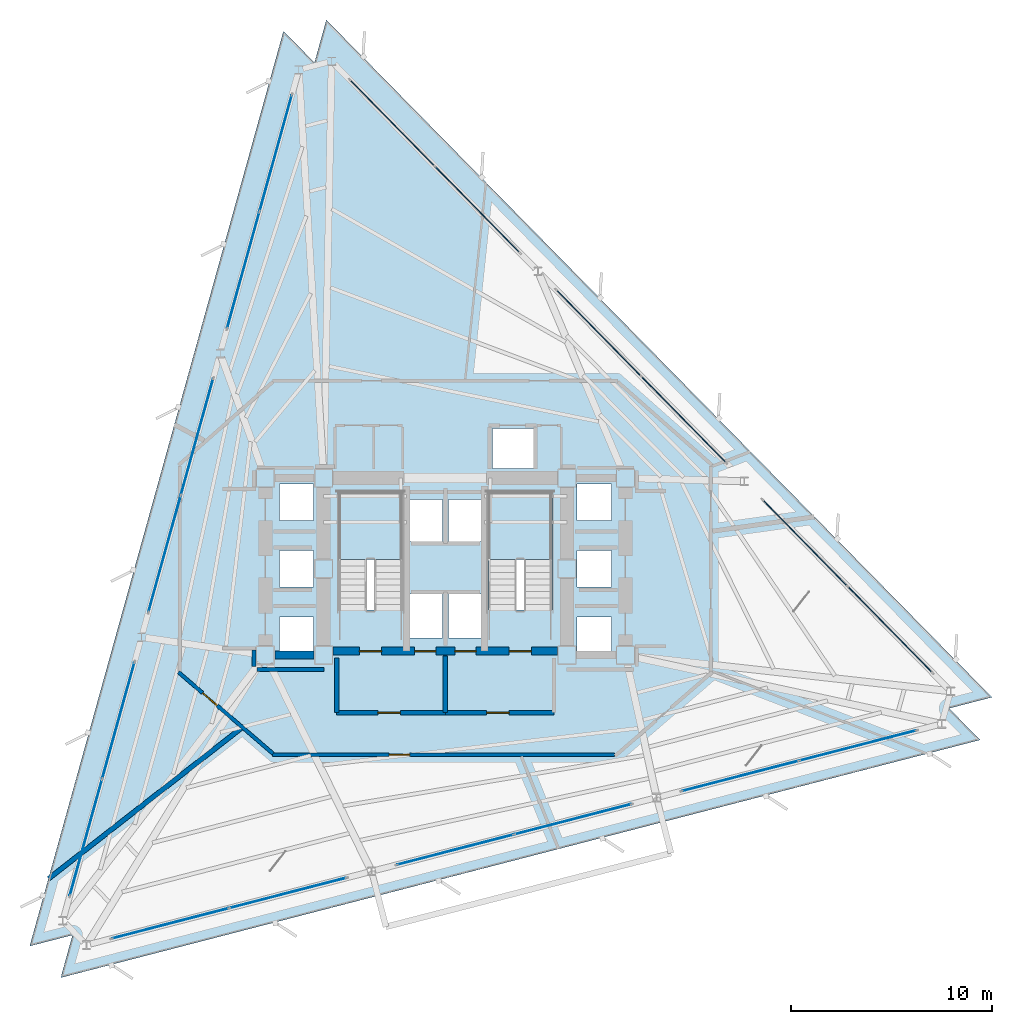
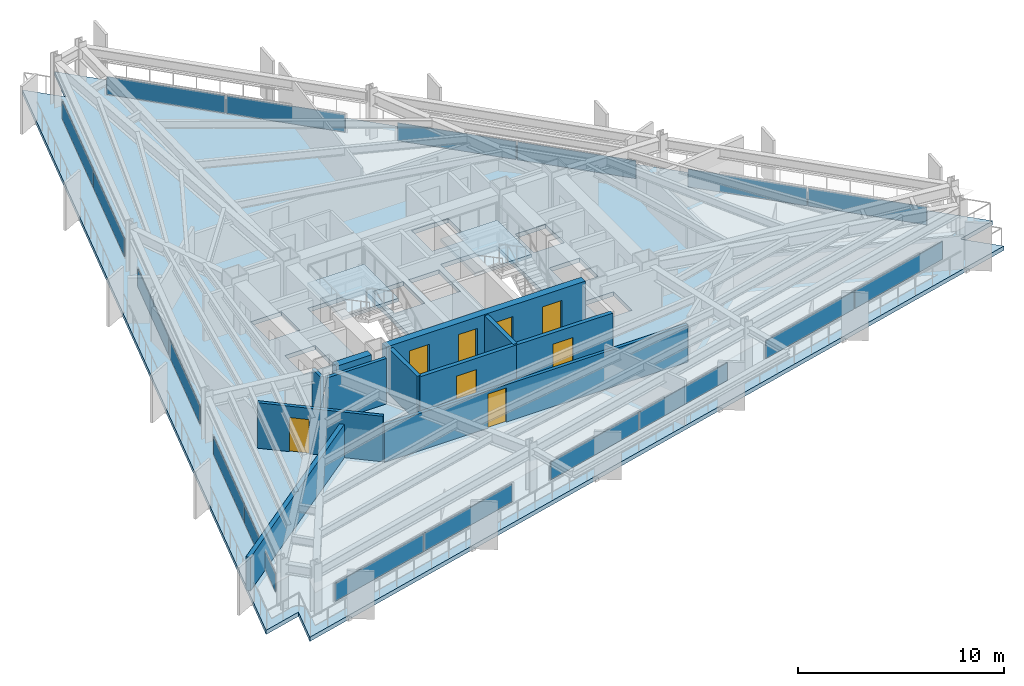
# One storey, part 6 of 11: 18 plates, 11 walls, 8 doors, 3 slabs, 8 openings, 11 elements without a shape of their own.
"""IFC4 building model written with IfcOpenShell, lengths in metres."""

from ifc_helpers import new_model, si_unit, direction, frame, frame_2d, origin, origin_2d, place, context, subcontext, project, spatial, polyline, rectangle, outline, extrude, material, layer, layer_set, type_object, element, fill, aggregate, save


model = new_model("IFC4")

# Units and contexts
model_context = context("Model", 3, precision=1e-05, world=origin(), true_north=direction((0.0, 1.0)))
body_context = subcontext(model_context, "Body", "Model", "MODEL_VIEW")
ifc_project = project(units=[si_unit("LENGTHUNIT", "METRE"), si_unit("AREAUNIT", "SQUARE_METRE"), si_unit("VOLUMEUNIT", "CUBIC_METRE"), si_unit("PLANEANGLEUNIT", "RADIAN"), si_unit("MASSUNIT", "GRAM", prefix="KILO")], contexts=[model_context])

# Site, building, storey
site_placement = place(None, origin())
site = spatial("IfcSite", under=ifc_project, at=site_placement, CompositionType="ELEMENT")
building_placement = place(site_placement, origin())
building = spatial("IfcBuilding", under=site, at=building_placement, Name="Rocaltana Carrier Exchange", CompositionType="ELEMENT")
storey_placement = place(building_placement, frame((0.0, 0.0, 97.760009765625)))
storey = spatial("IfcBuildingStorey", under=building, at=storey_placement, Name="L30", CompositionType="ELEMENT", Elevation=97.760009765625)

# Curtain wall, plates
ifc_material_1 = material(Name="Aluminium 6063-T6", Category="aluminium")
ifc_layer_1 = layer(ifc_material_1, 0.1650390625)
ifc_layer_set_1 = layer_set([ifc_layer_1], Name="Aluminium 6063-T6")
curtain_wall_type = type_object("IfcCurtainWallType", Name="Lower-Mid Stepped Curtain Wall CW-02", PredefinedType="NOTDEFINED", material=ifc_layer_set_1)
curtain_wall_1_placement = place(storey_placement, origin())
curtain_wall_1 = element("IfcCurtainWall", 1, at=curtain_wall_1_placement, inside=storey, type_object=curtain_wall_type, Name="L30 CW-02 Run CW-L30-F1S1", PredefinedType="NOTDEFINED")
ifc_material_2 = material(Name="Tempered Laminated Glass", Category="glass")
ifc_layer_2 = layer(ifc_material_2, 0.0419921875)
ifc_layer_set_2 = layer_set([ifc_layer_2], Name="Tempered Laminated Glass")
plate_type = type_object("IfcPlateType", Name="CW-02 Stone-Insulated Vision Panel", PredefinedType="CURTAIN_PANEL", material=ifc_layer_set_2)
plate_1_placement = place(storey_placement, frame((22.10400390625, -3.02490234375, 0.06494140625), z_axis=(0.0, 0.0, 1.0), x_axis=(-0.700915045542, 0.713244767898, 0.0)))
plate_1 = element("IfcPlate", 2, at=plate_1_placement, type_object=plate_type, Name="CW-02 panel 1.1", PredefinedType="CURTAIN_PANEL", context=body_context, shape_type="SweptSolid", body=[
    extrude(rectangle(XDim=5.96923828125, YDim=0.0419921875, at=origin_2d()), origin(), (0.0, 0.0, 1.0), 1.048095703125),
])
plate_2_placement = place(storey_placement, frame((17.874755859375, 1.279052734375, 0.06494140625), z_axis=(0.0, 0.0, 1.0), x_axis=(-0.700915045542, 0.713244767898, 0.0)))
plate_2 = element("IfcPlate", 3, at=plate_2_placement, type_object=plate_type, Name="CW-02 panel 2.1", PredefinedType="CURTAIN_PANEL", context=body_context, shape_type="SweptSolid", body=[
    extrude(rectangle(XDim=5.96923828125, YDim=0.0419921875, at=origin_2d()), origin(), (0.0, 0.0, 1.0), 1.048095703125),
])
aggregate(curtain_wall_1, [plate_1, plate_2])

curtain_wall_2_placement = place(storey_placement, origin())
curtain_wall_2 = element("IfcCurtainWall", 4, at=curtain_wall_2_placement, inside=storey, type_object=curtain_wall_type, Name="L30 CW-02 Run CW-L30-F1S2", PredefinedType="NOTDEFINED")
plate_3_placement = place(storey_placement, frame((11.847412109375, 7.412353515625, 0.06494140625), z_axis=(0.0, 0.0, 1.0), x_axis=(-0.700915118017, 0.713244696676, 0.0)))
plate_3 = element("IfcPlate", 5, at=plate_3_placement, type_object=plate_type, Name="CW-02 panel 1.1", PredefinedType="CURTAIN_PANEL", context=body_context, shape_type="SweptSolid", body=[
    extrude(rectangle(XDim=5.96923828125, YDim=0.0419921875, at=origin_2d()), origin(), (0.0, 0.0, 1.0), 1.048095703125),
])
plate_4_placement = place(storey_placement, frame((7.617919921875, 11.71630859375, 0.06494140625), z_axis=(0.0, 0.0, 1.0), x_axis=(-0.700915118017, 0.713244696676, 0.0)))
plate_4 = element("IfcPlate", 6, at=plate_4_placement, type_object=plate_type, Name="CW-02 panel 2.1", PredefinedType="CURTAIN_PANEL", context=body_context, shape_type="SweptSolid", body=[
    extrude(rectangle(XDim=5.96923828125, YDim=0.0419921875, at=origin_2d()), origin(), (0.0, 0.0, 1.0), 1.048095703125),
])
aggregate(curtain_wall_2, [plate_3, plate_4])

curtain_wall_3_placement = place(storey_placement, origin())
curtain_wall_3 = element("IfcCurtainWall", 7, at=curtain_wall_3_placement, inside=storey, type_object=curtain_wall_type, Name="L30 CW-02 Run CW-L30-F1S3", PredefinedType="NOTDEFINED")
plate_5_placement = place(storey_placement, frame((1.5908203125, 17.849609375, 0.06494140625), z_axis=(0.0, 0.0, 1.0), x_axis=(-0.700915045542, 0.713244767898, 0.0)))
plate_5 = element("IfcPlate", 8, at=plate_5_placement, type_object=plate_type, Name="CW-02 panel 1.1", PredefinedType="CURTAIN_PANEL", context=body_context, shape_type="SweptSolid", body=[
    extrude(rectangle(XDim=5.96923828125, YDim=0.0419921875, at=origin_2d()), origin(), (0.0, 0.0, 1.0), 1.048095703125),
])
plate_6_placement = place(storey_placement, frame((-2.638671875, 22.153564453125, 0.06494140625), z_axis=(0.0, 0.0, 1.0), x_axis=(-0.700915045542, 0.713244767898, 0.0)))
plate_6 = element("IfcPlate", 9, at=plate_6_placement, type_object=plate_type, Name="CW-02 panel 2.1", PredefinedType="CURTAIN_PANEL", context=body_context, shape_type="SweptSolid", body=[
    extrude(rectangle(XDim=5.96923828125, YDim=0.0419921875, at=origin_2d()), origin(), (0.0, 0.0, 1.0), 1.048095703125),
])
aggregate(curtain_wall_3, [plate_5, plate_6])

curtain_wall_4_placement = place(storey_placement, origin())
curtain_wall_4 = element("IfcCurtainWall", 10, at=curtain_wall_4_placement, inside=storey, type_object=curtain_wall_type, Name="L30 CW-02 Run CW-L30-F2S1", PredefinedType="NOTDEFINED")
plate_7_placement = place(storey_placement, frame((-8.432373046875, 20.655029296875, 0.06494140625), z_axis=(0.0, 0.0, 1.0), x_axis=(-0.267245546918, -0.96362846453, 0.0)))
plate_7 = element("IfcPlate", 11, at=plate_7_placement, type_object=plate_type, Name="CW-02 panel 1.1", PredefinedType="CURTAIN_PANEL", context=body_context, shape_type="SweptSolid", body=[
    extrude(rectangle(XDim=5.96923828125, YDim=0.0419921875, at=origin_2d()), origin(), (0.0, 0.0, 1.0), 1.048095703125),
])
plate_8_placement = place(storey_placement, frame((-10.045166015625, 14.84033203125, 0.06494140625), z_axis=(0.0, 0.0, 1.0), x_axis=(-0.267245546918, -0.96362846453, 0.0)))
plate_8 = element("IfcPlate", 12, at=plate_8_placement, type_object=plate_type, Name="CW-02 panel 2.1", PredefinedType="CURTAIN_PANEL", context=body_context, shape_type="SweptSolid", body=[
    extrude(rectangle(XDim=5.96923828125, YDim=0.0419921875, at=origin_2d()), origin(), (0.0, 0.0, 1.0), 1.048095703125),
])
aggregate(curtain_wall_4, [plate_7, plate_8])

curtain_wall_5_placement = place(storey_placement, origin())
curtain_wall_5 = element("IfcCurtainWall", 13, at=curtain_wall_5_placement, inside=storey, type_object=curtain_wall_type, Name="L30 CW-02 Run CW-L30-F2S2", PredefinedType="NOTDEFINED")
plate_9_placement = place(storey_placement, frame((-12.343017578125, 6.553955078125, 0.06494140625), z_axis=(0.0, 0.0, 1.0), x_axis=(-0.267237893807, -0.963630586954, 0.0)))
plate_9 = element("IfcPlate", 14, at=plate_9_placement, type_object=plate_type, Name="CW-02 panel 1.1", PredefinedType="CURTAIN_PANEL", context=body_context, shape_type="SweptSolid", body=[
    extrude(rectangle(XDim=5.96923828125, YDim=0.0419921875, at=origin_2d()), origin(), (0.0, 0.0, 1.0), 1.048095703125),
])
plate_10_placement = place(storey_placement, frame((-13.95556640625, 0.7392578125, 0.06494140625), z_axis=(0.0, 0.0, 1.0), x_axis=(-0.267237893807, -0.963630586954, 0.0)))
plate_10 = element("IfcPlate", 15, at=plate_10_placement, type_object=plate_type, Name="CW-02 panel 2.1", PredefinedType="CURTAIN_PANEL", context=body_context, shape_type="SweptSolid", body=[
    extrude(rectangle(XDim=5.96923828125, YDim=0.0419921875, at=origin_2d()), origin(), (0.0, 0.0, 1.0), 1.048095703125),
])
aggregate(curtain_wall_5, [plate_9, plate_10])

curtain_wall_6_placement = place(storey_placement, origin())
curtain_wall_6 = element("IfcCurtainWall", 16, at=curtain_wall_6_placement, inside=storey, type_object=curtain_wall_type, Name="L30 CW-02 Run CW-L30-F2S3", PredefinedType="NOTDEFINED")
plate_11_placement = place(storey_placement, frame((-16.253662109375, -7.547119140625, 0.06494140625), z_axis=(0.0, 0.0, 1.0), x_axis=(-0.267243424491, -0.963629053146, 0.0)))
plate_11 = element("IfcPlate", 17, at=plate_11_placement, type_object=plate_type, Name="CW-02 panel 1.1", PredefinedType="CURTAIN_PANEL", context=body_context, shape_type="SweptSolid", body=[
    extrude(rectangle(XDim=5.96923828125, YDim=0.0419921875, at=origin_2d()), origin(), (0.0, 0.0, 1.0), 1.048095703125),
])
plate_12_placement = place(storey_placement, frame((-17.8662109375, -13.36181640625, 0.06494140625), z_axis=(0.0, 0.0, 1.0), x_axis=(-0.267243424491, -0.963629053146, 0.0)))
plate_12 = element("IfcPlate", 18, at=plate_12_placement, type_object=plate_type, Name="CW-02 panel 2.1", PredefinedType="CURTAIN_PANEL", context=body_context, shape_type="SweptSolid", body=[
    extrude(rectangle(XDim=5.96923828125, YDim=0.0419921875, at=origin_2d()), origin(), (0.0, 0.0, 1.0), 1.048095703125),
])
aggregate(curtain_wall_6, [plate_11, plate_12])

curtain_wall_7_placement = place(storey_placement, origin())
curtain_wall_7 = element("IfcCurtainWall", 19, at=curtain_wall_7_placement, inside=storey, type_object=curtain_wall_type, Name="L30 CW-02 Run CW-L30-F3S1", PredefinedType="NOTDEFINED")
plate_13_placement = place(storey_placement, frame((-13.671630859375, -17.63037109375, 0.06494140625), z_axis=(0.0, 0.0, 1.0), x_axis=(0.968148220548, 0.250377760692, 0.0)))
plate_13 = element("IfcPlate", 20, at=plate_13_placement, type_object=plate_type, Name="CW-02 panel 1.1", PredefinedType="CURTAIN_PANEL", context=body_context, shape_type="SweptSolid", body=[
    extrude(rectangle(XDim=5.96923828125, YDim=0.0419921875, at=origin_2d()), origin(), (0.0, 0.0, 1.0), 1.048095703125),
])
plate_14_placement = place(storey_placement, frame((-7.82958984375, -16.119384765625, 0.06494140625), z_axis=(0.0, 0.0, 1.0), x_axis=(0.968148220548, 0.250377760692, 0.0)))
plate_14 = element("IfcPlate", 21, at=plate_14_placement, type_object=plate_type, Name="CW-02 panel 2.1", PredefinedType="CURTAIN_PANEL", context=body_context, shape_type="SweptSolid", body=[
    extrude(rectangle(XDim=5.96923828125, YDim=0.0419921875, at=origin_2d()), origin(), (0.0, 0.0, 1.0), 1.048095703125),
])
aggregate(curtain_wall_7, [plate_13, plate_14])

curtain_wall_8_placement = place(storey_placement, origin())
curtain_wall_8 = element("IfcCurtainWall", 22, at=curtain_wall_8_placement, inside=storey, type_object=curtain_wall_type, Name="L30 CW-02 Run CW-L30-F3S2", PredefinedType="NOTDEFINED")
plate_15_placement = place(storey_placement, frame((0.49560546875, -13.96630859375, 0.06494140625), z_axis=(0.0, 0.0, 1.0), x_axis=(0.968148220548, 0.250377760692, 0.0)))
plate_15 = element("IfcPlate", 23, at=plate_15_placement, type_object=plate_type, Name="CW-02 panel 1.1", PredefinedType="CURTAIN_PANEL", context=body_context, shape_type="SweptSolid", body=[
    extrude(rectangle(XDim=5.96923828125, YDim=0.0419921875, at=origin_2d()), origin(), (0.0, 0.0, 1.0), 1.048095703125),
])
plate_16_placement = place(storey_placement, frame((6.337646484375, -12.45556640625, 0.06494140625), z_axis=(0.0, 0.0, 1.0), x_axis=(0.968148220548, 0.250377760692, 0.0)))
plate_16 = element("IfcPlate", 24, at=plate_16_placement, type_object=plate_type, Name="CW-02 panel 2.1", PredefinedType="CURTAIN_PANEL", context=body_context, shape_type="SweptSolid", body=[
    extrude(rectangle(XDim=5.96923828125, YDim=0.0419921875, at=origin_2d()), origin(), (0.0, 0.0, 1.0), 1.048095703125),
])
aggregate(curtain_wall_8, [plate_15, plate_16])

curtain_wall_9_placement = place(storey_placement, origin())
curtain_wall_9 = element("IfcCurtainWall", 25, at=curtain_wall_9_placement, inside=storey, type_object=curtain_wall_type, Name="L30 CW-02 Run CW-L30-F3S3", PredefinedType="NOTDEFINED")
plate_17_placement = place(storey_placement, frame((14.662841796875, -10.302490234375, 0.06494140625), z_axis=(0.0, 0.0, 1.0), x_axis=(0.96815021836, 0.250370035526, 0.0)))
plate_17 = element("IfcPlate", 26, at=plate_17_placement, type_object=plate_type, Name="CW-02 panel 1.1", PredefinedType="CURTAIN_PANEL", context=body_context, shape_type="SweptSolid", body=[
    extrude(rectangle(XDim=5.96923828125, YDim=0.0419921875, at=origin_2d()), origin(), (0.0, 0.0, 1.0), 1.048095703125),
])
plate_18_placement = place(storey_placement, frame((20.5048828125, -8.791748046875, 0.06494140625), z_axis=(0.0, 0.0, 1.0), x_axis=(0.96815021836, 0.250370035526, 0.0)))
plate_18 = element("IfcPlate", 27, at=plate_18_placement, type_object=plate_type, Name="CW-02 panel 2.1", PredefinedType="CURTAIN_PANEL", context=body_context, shape_type="SweptSolid", body=[
    extrude(rectangle(XDim=5.96923828125, YDim=0.0419921875, at=origin_2d()), origin(), (0.0, 0.0, 1.0), 1.048095703125),
])
aggregate(curtain_wall_9, [plate_17, plate_18])

# Slab
ifc_material_3 = material(Name="Concrete C50/60", Category="concrete")
ifc_layer_3 = layer(ifc_material_3, 0.25)
ifc_layer_set_3 = layer_set([ifc_layer_3], Name="Concrete C50/60")
slab_type_1 = type_object("IfcSlabType", Name="Mid-Zone Tower Slab 250", PredefinedType="FLOOR", material=ifc_layer_set_3)
slab_1_placement = place(storey_placement, frame((0.0, 0.0, -0.25)))
element("IfcSlab", 28, at=slab_1_placement, inside=storey, type_object=slab_type_1, Name="L30 Structural Floor Slab", PredefinedType="FLOOR", context=body_context, shape_type="SweptSolid", body=[
    extrude(outline(polyline([(26.577880859375, -8.51220703125), (25.035888671875, -6.943115234375), (27.165771484375, -6.39208984375), (-5.9169921875, 27.273193359375), (-6.505126953125, 25.1533203125), (-8.047119140625, 26.722412109375), (-20.66064453125, -18.760986328125), (-18.53076171875, -18.210205078125), (-19.11865234375, -20.330078125), (26.577880859375, -8.51220703125)]), holes=[polyline([(-5.300048828125, -2.06005859375), (-2.139892578125, -2.06005859375), (-2.139892578125, 3.800048828125), (-5.300048828125, 3.800048828125), (-5.300048828125, -2.06005859375)]), polyline([(2.139892578125, -2.06005859375), (5.300048828125, -2.06005859375), (5.300048828125, 3.800048828125), (2.139892578125, 3.800048828125), (2.139892578125, -2.06005859375)]), polyline([(-1.85009765625, -3.449951171875), (-0.14990234375, -3.449951171875), (-0.14990234375, -1.25), (-1.85009765625, -1.25), (-1.85009765625, -3.449951171875)]), polyline([(0.14990234375, -3.449951171875), (1.85009765625, -3.449951171875), (1.85009765625, -1.25), (0.14990234375, -1.25), (0.14990234375, -3.449951171875)]), polyline([(2.35009765625, 4.97998046875), (4.39990234375, 4.97998046875), (4.39990234375, 6.97998046875), (2.35009765625, 6.97998046875), (2.35009765625, 4.97998046875)]), polyline([(-1.85009765625, 1.35009765625), (-0.14990234375, 1.35009765625), (-0.14990234375, 3.449951171875), (-1.85009765625, 3.449951171875), (-1.85009765625, 1.35009765625)]), polyline([(0.14990234375, 1.35009765625), (1.85009765625, 1.35009765625), (1.85009765625, 3.449951171875), (0.14990234375, 3.449951171875), (0.14990234375, 1.35009765625)]), polyline([(-8.25, -4.199951171875), (-6.550048828125, -4.199951171875), (-6.550048828125, -2.39990234375), (-8.25, -2.39990234375), (-8.25, -4.199951171875)]), polyline([(-8.25, -0.89990234375), (-6.550048828125, -0.89990234375), (-6.550048828125, 0.89990234375), (-8.25, 0.89990234375), (-8.25, -0.89990234375)]), polyline([(-8.25, 2.39990234375), (-6.550048828125, 2.39990234375), (-6.550048828125, 4.199951171875), (-8.25, 4.199951171875), (-8.25, 2.39990234375)]), polyline([(6.550048828125, -4.199951171875), (8.25, -4.199951171875), (8.25, -2.39990234375), (6.550048828125, -2.39990234375), (6.550048828125, -4.199951171875)]), polyline([(6.550048828125, -0.89990234375), (8.25, -0.89990234375), (8.25, 0.89990234375), (6.550048828125, 0.89990234375), (6.550048828125, -0.89990234375)]), polyline([(6.550048828125, 2.39990234375), (8.25, 2.39990234375), (8.25, 4.199951171875), (6.550048828125, 4.199951171875), (6.550048828125, 2.39990234375)])]), origin(), (0.0, 0.0, 1.0), 0.25),
])

# Stair, slab
ifc_material_4 = material(Name="Precast concrete C45/55", Category="concrete")
stair_type = type_object("IfcStairType", Name="Standard Dog-Leg Stair 160", PredefinedType="HALF_TURN_STAIR", material=ifc_material_4)
stair_1_placement = place(storey_placement, origin())
stair_1 = element("IfcStair", 29, at=stair_1_placement, inside=storey, type_object=stair_type, Name="L30 Core West Exit Stair ST-1", PredefinedType="HALF_TURN_STAIR")
ifc_material_5 = material(Name="Precast concrete C45/55", Category="concrete")
ifc_layer_4 = layer(ifc_material_5, 0.199951171875)
ifc_layer_set_4 = layer_set([ifc_layer_4], Name="Precast concrete C45/55")
slab_type_2 = type_object("IfcSlabType", Name="Precast Stair Half-Landing 200", PredefinedType="LANDING", material=ifc_layer_set_4)
slab_2_placement = place(storey_placement, frame((0.0, 0.0, 1.320068359375)))
slab_2 = element("IfcSlab", 30, at=slab_2_placement, type_object=slab_type_2, Name="ST-1 landing 1", PredefinedType="LANDING", context=body_context, shape_type="SweptSolid", body=[
    extrude(outline(polyline([(-2.139892578125, 0.4599609375), (-2.139892578125, 3.800048828125), (-5.300048828125, 3.800048828125), (-5.300048828125, 0.4599609375), (-2.139892578125, 0.4599609375)])), origin(), (0.0, 0.0, 1.0), 0.199951171875),
])
aggregate(stair_1, [slab_2])

stair_2_placement = place(storey_placement, origin())
stair_2 = element("IfcStair", 31, at=stair_2_placement, inside=storey, type_object=stair_type, Name="L30 Core East Exit Stair ST-2", PredefinedType="HALF_TURN_STAIR")
slab_3_placement = place(storey_placement, frame((0.0, 0.0, 1.320068359375)))
slab_3 = element("IfcSlab", 32, at=slab_3_placement, type_object=slab_type_2, Name="ST-2 landing 1", PredefinedType="LANDING", context=body_context, shape_type="SweptSolid", body=[
    extrude(outline(polyline([(5.300048828125, 0.4599609375), (5.300048828125, 3.800048828125), (2.139892578125, 3.800048828125), (2.139892578125, 0.4599609375), (5.300048828125, 0.4599609375)])), origin(), (0.0, 0.0, 1.0), 0.199951171875),
])
aggregate(stair_2, [slab_3])

# Wall, openings, doors
ifc_material_6 = material(Name="Concrete C50/60", Category="concrete")
ifc_layer_5 = layer(ifc_material_6, 0.39990234375)
ifc_layer_set_5 = layer_set([ifc_layer_5], Name="Concrete C50/60")
wall_type_1 = type_object("IfcWallType", Name="Core Internal Shear Wall 400", PredefinedType="SHEAR", material=ifc_layer_set_5)
wall_1_placement = place(storey_placement, frame((-5.574951171875, -4.10009765625, 0.0), z_axis=(0.0, 0.0, 1.0), x_axis=(1.0, 0.0, 0.0)))
wall_1 = element("IfcWall", 33, at=wall_1_placement, inside=storey, type_object=wall_type_1, Name="L30 Core Shear Wall CW-S", PredefinedType="SHEAR", context=body_context, shape_type="SweptSolid", body=[
    extrude(rectangle(XDim=11.14990234375, YDim=0.39990234375, at=frame_2d((5.574951171875, 0.0))), origin(), (0.0, 0.0, 1.0), 2.718017578125),
])
opening_1_placement = place(wall_1_placement, frame((1.304931640625, 0.0, 0.0)))
opening_1 = element("IfcOpeningElement", 34, at=opening_1_placement, cuts=wall_1, Name="Opening D-ST110", PredefinedType="OPENING", context=body_context, shape_type="SweptSolid", body=[
    extrude(rectangle(XDim=1.10009765625, YDim=2.0400390625, at=frame_2d((0.550048828125, 1.02001953125))), frame((0.0, 0.2099609375, 0.0), z_axis=(0.0, -1.0, 0.0), x_axis=(1.0, 0.0, 0.0)), (0.0, 0.0, 1.0), 0.419921875),
])
opening_2_placement = place(wall_1_placement, frame((8.7451171875, 0.0, 0.0)))
opening_2 = element("IfcOpeningElement", 35, at=opening_2_placement, cuts=wall_1, Name="Opening D-ST110", PredefinedType="OPENING", context=body_context, shape_type="SweptSolid", body=[
    extrude(rectangle(XDim=1.10009765625, YDim=2.0400390625, at=frame_2d((0.550048828125, 1.02001953125))), frame((0.0, 0.2099609375, 0.0), z_axis=(0.0, -1.0, 0.0), x_axis=(1.0, 0.0, 0.0)), (0.0, 0.0, 1.0), 0.419921875),
])
opening_3_placement = place(wall_1_placement, frame((4.044921875, 0.0, 0.0)))
opening_3 = element("IfcOpeningElement", 36, at=opening_3_placement, cuts=wall_1, Name="Opening LD-110", PredefinedType="OPENING", context=body_context, shape_type="SweptSolid", body=[
    extrude(rectangle(XDim=1.06005859375, YDim=2.0400390625, at=frame_2d((0.530029296875, 1.02001953125))), frame((0.0, 0.2099609375, 0.0), z_axis=(0.0, -1.0, 0.0), x_axis=(1.0, 0.0, 0.0)), (0.0, 0.0, 1.0), 0.419921875),
])
opening_4_placement = place(wall_1_placement, frame((6.044921875, 0.0, 0.0)))
opening_4 = element("IfcOpeningElement", 37, at=opening_4_placement, cuts=wall_1, Name="Opening LD-110", PredefinedType="OPENING", context=body_context, shape_type="SweptSolid", body=[
    extrude(rectangle(XDim=1.06005859375, YDim=2.0400390625, at=frame_2d((0.530029296875, 1.02001953125))), frame((0.0, 0.2099609375, 0.0), z_axis=(0.0, -1.0, 0.0), x_axis=(1.0, 0.0, 0.0)), (0.0, 0.0, 1.0), 0.419921875),
])
ifc_material_7 = material(Name="Hollow Metal Fire Door Assembly", Category="steel")
door_type_1 = type_object("IfcDoorType", Name="Exit Stair Fire Door 1100x2040 FD90S", OperationType="NOTDEFINED", PredefinedType="DOOR", material=ifc_material_7)
door_1_placement = place(opening_1_placement, origin())
door_1 = element("IfcDoor", 38, at=door_1_placement, inside=storey, type_object=door_type_1, Name="L30 Exit Stair ST1 Fire Door", OperationType="SINGLE_SWING_LEFT", OverallHeight=2.0400390625, OverallWidth=1.10009765625, PredefinedType="DOOR", context=body_context, shape_type="SweptSolid", body=[
    extrude(rectangle(XDim=1.10009765625, YDim=2.0400390625, at=frame_2d((0.550048828125, 1.02001953125))), frame((0.0, 0.02490234375, 0.0), z_axis=(0.0, -1.0, 0.0), x_axis=(1.0, 0.0, 0.0)), (0.0, 0.0, 1.0), 0.050048828125),
])
fill(opening_1, door_1)
door_2_placement = place(opening_2_placement, origin())
door_2 = element("IfcDoor", 39, at=door_2_placement, inside=storey, type_object=door_type_1, Name="L30 Exit Stair ST2 Fire Door", OperationType="SINGLE_SWING_RIGHT", OverallHeight=2.0400390625, OverallWidth=1.10009765625, PredefinedType="DOOR", context=body_context, shape_type="SweptSolid", body=[
    extrude(rectangle(XDim=1.10009765625, YDim=2.0400390625, at=frame_2d((0.550048828125, 1.02001953125))), frame((0.0, 0.02490234375, 0.0), z_axis=(0.0, -1.0, 0.0), x_axis=(1.0, 0.0, 0.0)), (0.0, 0.0, 1.0), 0.050048828125),
])
fill(opening_2, door_2)
ifc_material_8 = material(Name="Brushed Stainless Sliding Door Leaf", Category="steel")
door_type_2 = type_object("IfcDoorType", Name="Lift Landing Sliding Door 1060x2040", OperationType="NOTDEFINED", PredefinedType="DOOR", material=ifc_material_8)
door_3_placement = place(opening_3_placement, origin())
door_3 = element("IfcDoor", 40, at=door_3_placement, inside=storey, type_object=door_type_2, Name="L30 Firefighting Lift FFL1 Landing Door", OperationType="SLIDING_TO_LEFT", OverallHeight=2.0400390625, OverallWidth=1.06005859375, PredefinedType="DOOR", context=body_context, shape_type="SweptSolid", body=[
    extrude(rectangle(XDim=1.06005859375, YDim=2.0400390625, at=frame_2d((0.530029296875, 1.02001953125))), frame((0.0, 0.02490234375, 0.0), z_axis=(0.0, -1.0, 0.0), x_axis=(1.0, 0.0, 0.0)), (0.0, 0.0, 1.0), 0.050048828125),
])
fill(opening_3, door_3)
door_4_placement = place(opening_4_placement, origin())
door_4 = element("IfcDoor", 41, at=door_4_placement, inside=storey, type_object=door_type_2, Name="L30 Firefighting Lift FFL2 Landing Door", OperationType="SLIDING_TO_RIGHT", OverallHeight=2.0400390625, OverallWidth=1.06005859375, PredefinedType="DOOR", context=body_context, shape_type="SweptSolid", body=[
    extrude(rectangle(XDim=1.06005859375, YDim=2.0400390625, at=frame_2d((0.530029296875, 1.02001953125))), frame((0.0, 0.02490234375, 0.0), z_axis=(0.0, -1.0, 0.0), x_axis=(1.0, 0.0, 0.0)), (0.0, 0.0, 1.0), 0.050048828125),
])
fill(opening_4, door_4)

# Wall
wall_2_placement = place(storey_placement, frame((-8.47509765625, -4.300048828125, 0.0), z_axis=(0.0, 0.0, 1.0), x_axis=(1.0, 0.0, 0.0)))
element("IfcWall", 42, at=wall_2_placement, inside=storey, type_object=wall_type_1, Name="L30 Core Shear Wall CW-WWS", PredefinedType="SHEAR", context=body_context, shape_type="SweptSolid", body=[
    extrude(rectangle(XDim=1.9501953125, YDim=0.39990234375, at=frame_2d((0.97509765625, 0.0))), origin(), (0.0, 0.0, 1.0), 2.718017578125),
])

# Wall, opening, door
ifc_material_9 = material(Name="Gypsum & Steel Stud Partition", Category="steel")
ifc_layer_6 = layer(ifc_material_9, 0.179931640625)
ifc_layer_set_6 = layer_set([ifc_layer_6], Name="Gypsum & Steel Stud Partition")
wall_type_2 = type_object("IfcWallType", Name="Corridor Fire Partition 180 EI60", PredefinedType="PARTITIONING", material=ifc_layer_set_6)
wall_3_placement = place(storey_placement, frame((8.409912109375, -9.25, 0.0), z_axis=(0.0, 0.0, 1.0), x_axis=(-1.0, 0.0, 0.0)))
wall_3 = element("IfcWall", 43, at=wall_3_placement, inside=storey, type_object=wall_type_2, Name="L30 Corridor Partition 5", PredefinedType="PARTITIONING", context=body_context, shape_type="SweptSolid", body=[
    extrude(rectangle(XDim=17.0, YDim=0.179931640625, at=frame_2d((8.5, 0.0))), origin(), (0.0, 0.0, 1.0), 2.20703125),
])
opening_5_placement = place(wall_3_placement, frame((10.180908203125, 0.0, 0.0)))
opening_5 = element("IfcOpeningElement", 44, at=opening_5_placement, cuts=wall_3, Name="Opening D-LB104", PredefinedType="OPENING", context=body_context, shape_type="SweptSolid", body=[
    extrude(rectangle(XDim=1.02001953125, YDim=2.02001953125, at=frame_2d((0.510009765625, 1.010009765625))), frame((0.0, 0.099853515625, 0.0), z_axis=(0.0, -1.0, 0.0), x_axis=(1.0, 0.0, 0.0)), (0.0, 0.0, 1.0), 0.199951171875),
])
ifc_material_10 = material(Name="Powder-Coated Aluminium 6063-T6", Category="aluminium")
door_type_3 = type_object("IfcDoorType", Name="Laboratory Acoustic Door 1020x2020", OperationType="NOTDEFINED", PredefinedType="DOOR", material=ifc_material_10)
door_5_placement = place(opening_5_placement, origin())
door_5 = element("IfcDoor", 45, at=door_5_placement, inside=storey, type_object=door_type_3, Name="L30 Photonic Integration Workshop Entrance Door", OperationType="SINGLE_SWING_LEFT", OverallHeight=2.02001953125, OverallWidth=1.02001953125, PredefinedType="DOOR", context=body_context, shape_type="SweptSolid", body=[
    extrude(rectangle(XDim=1.02001953125, YDim=2.02001953125, at=frame_2d((0.510009765625, 1.010009765625))), frame((0.0, 0.02490234375, 0.0), z_axis=(0.0, -1.0, 0.0), x_axis=(1.0, 0.0, 0.0)), (0.0, 0.0, 1.0), 0.050048828125),
])
fill(opening_5, door_5)

wall_4_placement = place(storey_placement, frame((-8.568115234375, -9.191162109375, 0.0), z_axis=(0.0, 0.0, 1.0), x_axis=(-0.757556899173, 0.652769135694, 0.0)))
wall_4 = element("IfcWall", 46, at=wall_4_placement, inside=storey, type_object=wall_type_2, Name="L30 Corridor Partition 6", PredefinedType="PARTITIONING", context=body_context, shape_type="SweptSolid", body=[
    extrude(rectangle(XDim=6.204345703125, YDim=0.179931640625, at=frame_2d((3.10205078125, 0.0))), origin(), (0.0, 0.0, 1.0), 2.69287109375),
])
opening_6_placement = place(wall_4_placement, frame((3.663818359375, 0.0, 0.0)))
opening_6 = element("IfcOpeningElement", 47, at=opening_6_placement, cuts=wall_4, Name="Opening D-RM098", PredefinedType="OPENING", context=body_context, shape_type="SweptSolid", body=[
    extrude(rectangle(XDim=0.9599609375, YDim=2.02001953125, at=frame_2d((0.47998046875, 1.010009765625))), frame((0.0, 0.099853515625, 0.0), z_axis=(0.0, -1.0, 0.0), x_axis=(1.0, 0.0, 0.0)), (0.0, 0.0, 1.0), 0.199951171875),
])
ifc_material_11 = material(Name="Engineered Hardwood Timber", Category="wood")
door_type_4 = type_object("IfcDoorType", Name="Workspace Single Door 960x2020", OperationType="NOTDEFINED", PredefinedType="DOOR", material=ifc_material_11)
door_6_placement = place(opening_6_placement, origin())
door_6 = element("IfcDoor", 48, at=door_6_placement, inside=storey, type_object=door_type_4, Name="L30 Sky Transfer Lounge Entrance Door", OperationType="SINGLE_SWING_RIGHT", OverallHeight=2.02001953125, OverallWidth=0.9599609375, PredefinedType="DOOR", context=body_context, shape_type="SweptSolid", body=[
    extrude(rectangle(XDim=0.9599609375, YDim=2.02001953125, at=frame_2d((0.47998046875, 1.010009765625))), frame((0.0, 0.02490234375, 0.0), z_axis=(0.0, -1.0, 0.0), x_axis=(1.0, 0.0, 0.0)), (0.0, 0.0, 1.0), 0.050048828125),
])
fill(opening_6, door_6)

# Walls
wall_5_placement = place(storey_placement, frame((-9.510009765625, -4.050048828125, 0.0), z_axis=(0.0, 0.0, 1.0), x_axis=(0.0, -1.0, 0.0)))
element("IfcWall", 49, at=wall_5_placement, inside=storey, type_object=wall_type_2, Name="L30 Corridor Partition 12", PredefinedType="PARTITIONING", context=body_context, shape_type="SweptSolid", body=[
    extrude(rectangle(XDim=0.820068359375, YDim=0.179931640625, at=frame_2d((0.41015625, 0.0))), origin(), (0.0, 0.0, 1.0), 2.69287109375),
])
wall_6_placement = place(storey_placement, frame((-9.3701171875, -5.010009765625, 0.0), z_axis=(0.0, 0.0, 1.0), x_axis=(1.0, 0.0, 0.0)))
element("IfcWall", 50, at=wall_6_placement, inside=storey, type_object=wall_type_2, Name="L30 Corridor Partition 13", PredefinedType="PARTITIONING", context=body_context, shape_type="SweptSolid", body=[
    extrude(rectangle(XDim=3.340087890625, YDim=0.179931640625, at=frame_2d((1.669921875, 0.0))), origin(), (0.0, 0.0, 1.0), 2.69287109375),
])
ifc_material_12 = material(Name="Autoclaved Aerated Concrete C30/37", Category="concrete")
ifc_layer_7 = layer(ifc_material_12, 0.219970703125)
ifc_layer_set_7 = layer_set([ifc_layer_7], Name="Autoclaved Aerated Concrete C30/37")
wall_type_3 = type_object("IfcWallType", Name="Firefighting Lobby Wall 220 EI120", PredefinedType="PARTITIONING", material=ifc_layer_set_7)
wall_7_placement = place(storey_placement, frame((-5.39990234375, -7.159912109375, 0.0), z_axis=(0.0, 0.0, 1.0), x_axis=(0.0, 1.0, 0.0)))
element("IfcWall", 51, at=wall_7_placement, inside=storey, type_object=wall_type_3, Name="L30 FFL Lobby 1 West Wall", PredefinedType="PARTITIONING", context=body_context, shape_type="SweptSolid", body=[
    extrude(rectangle(XDim=2.7099609375, YDim=0.219970703125, at=frame_2d((1.35498046875, 0.0))), origin(), (0.0, 0.0, 1.0), 2.69287109375),
])
wall_8_placement = place(storey_placement, frame((0.0, -7.159912109375, 0.0), z_axis=(0.0, 0.0, 1.0), x_axis=(0.0, 1.0, 0.0)))
element("IfcWall", 52, at=wall_8_placement, inside=storey, type_object=wall_type_3, Name="L30 FFL Lobby Centre Wall", PredefinedType="PARTITIONING", context=body_context, shape_type="SweptSolid", body=[
    extrude(rectangle(XDim=2.809814453125, YDim=0.219970703125, at=frame_2d((1.40478515625, 0.0))), origin(), (0.0, 0.0, 1.0), 2.69287109375),
])

# Wall, opening, door
wall_9_placement = place(storey_placement, frame((-5.39990234375, -7.159912109375, 0.0), z_axis=(0.0, 0.0, 1.0), x_axis=(1.0, 0.0, 0.0)))
wall_9 = element("IfcWall", 53, at=wall_9_placement, inside=storey, type_object=wall_type_3, Name="L30 FFL Lobby 1 South Wall", PredefinedType="PARTITIONING", context=body_context, shape_type="SweptSolid", body=[
    extrude(rectangle(XDim=5.39990234375, YDim=0.219970703125, at=frame_2d((2.699951171875, 0.0))), origin(), (0.0, 0.0, 1.0), 2.69287109375),
])
opening_7_placement = place(wall_9_placement, frame((2.050048828125, 0.0, 0.0)))
opening_7 = element("IfcOpeningElement", 54, at=opening_7_placement, cuts=wall_9, Name="Opening D-FF115", PredefinedType="OPENING", context=body_context, shape_type="SweptSolid", body=[
    extrude(rectangle(XDim=1.1201171875, YDim=2.02001953125, at=frame_2d((0.56005859375, 1.010009765625))), frame((0.0, 0.119873046875, 0.0), z_axis=(0.0, -1.0, 0.0), x_axis=(1.0, 0.0, 0.0)), (0.0, 0.0, 1.0), 0.239990234375),
])
ifc_material_13 = material(Name="Hollow Metal Fire Door Assembly", Category="steel")
door_type_5 = type_object("IfcDoorType", Name="Firefighting Lobby Door 1120x2020 FD60S", OperationType="NOTDEFINED", PredefinedType="DOOR", material=ifc_material_13)
door_7_placement = place(opening_7_placement, origin())
door_7 = element("IfcDoor", 55, at=door_7_placement, inside=storey, type_object=door_type_5, Name="L30 Firefighting Lift Lobby 1 Door", OperationType="SINGLE_SWING_LEFT", OverallHeight=2.02001953125, OverallWidth=1.1201171875, PredefinedType="DOOR", context=body_context, shape_type="SweptSolid", body=[
    extrude(rectangle(XDim=1.1201171875, YDim=2.02001953125, at=frame_2d((0.56005859375, 1.010009765625))), frame((0.0, 0.02490234375, 0.0), z_axis=(0.0, -1.0, 0.0), x_axis=(1.0, 0.0, 0.0)), (0.0, 0.0, 1.0), 0.050048828125),
])
fill(opening_7, door_7)

wall_10_placement = place(storey_placement, frame((0.0, -7.159912109375, 0.0), z_axis=(0.0, 0.0, 1.0), x_axis=(1.0, 0.0, 0.0)))
wall_10 = element("IfcWall", 56, at=wall_10_placement, inside=storey, type_object=wall_type_3, Name="L30 FFL Lobby 2 South Wall", PredefinedType="PARTITIONING", context=body_context, shape_type="SweptSolid", body=[
    extrude(rectangle(XDim=5.39990234375, YDim=0.219970703125, at=frame_2d((2.699951171875, 0.0))), origin(), (0.0, 0.0, 1.0), 2.69287109375),
])
opening_8_placement = place(wall_10_placement, frame((2.050048828125, 0.0, 0.0)))
opening_8 = element("IfcOpeningElement", 57, at=opening_8_placement, cuts=wall_10, Name="Opening D-FF115", PredefinedType="OPENING", context=body_context, shape_type="SweptSolid", body=[
    extrude(rectangle(XDim=1.1201171875, YDim=2.02001953125, at=frame_2d((0.56005859375, 1.010009765625))), frame((0.0, 0.119873046875, 0.0), z_axis=(0.0, -1.0, 0.0), x_axis=(1.0, 0.0, 0.0)), (0.0, 0.0, 1.0), 0.239990234375),
])
door_8_placement = place(opening_8_placement, origin())
door_8 = element("IfcDoor", 58, at=door_8_placement, inside=storey, type_object=door_type_5, Name="L30 Firefighting Lift Lobby 2 Door", OperationType="SINGLE_SWING_RIGHT", OverallHeight=2.02001953125, OverallWidth=1.1201171875, PredefinedType="DOOR", context=body_context, shape_type="SweptSolid", body=[
    extrude(rectangle(XDim=1.1201171875, YDim=2.02001953125, at=frame_2d((0.56005859375, 1.010009765625))), frame((0.0, 0.02490234375, 0.0), z_axis=(0.0, -1.0, 0.0), x_axis=(1.0, 0.0, 0.0)), (0.0, 0.0, 1.0), 0.050048828125),
])
fill(opening_8, door_8)

# Wall
ifc_material_14 = material(Name="Acoustic Calcium Silicate Partition", Category="gypsum")
ifc_layer_8 = layer(ifc_material_14, 0.239990234375)
ifc_layer_set_8 = layer_set([ifc_layer_8], Name="Acoustic Calcium Silicate Partition")
wall_type_4 = type_object("IfcWallType", Name="Heavy Lab Partition 240 EI90", PredefinedType="PARTITIONING", material=ifc_layer_set_8)
wall_11_placement = place(storey_placement, frame((-10.15234375, -7.931884765625, 0.0), z_axis=(0.0, 0.0, 1.0), x_axis=(-0.788016447684, -0.61565418717, 0.0)))
element("IfcWall", 59, at=wall_11_placement, inside=storey, type_object=wall_type_4, Name="L30 Suite Divider Wall D1", PredefinedType="PARTITIONING", context=body_context, shape_type="SweptSolid", body=[
    extrude(rectangle(XDim=12.1416015625, YDim=0.239990234375, at=frame_2d((6.07080078125, 0.0))), origin(), (0.0, 0.0, 1.0), 1.97802734375),
])

save(model, "model.ifc")
